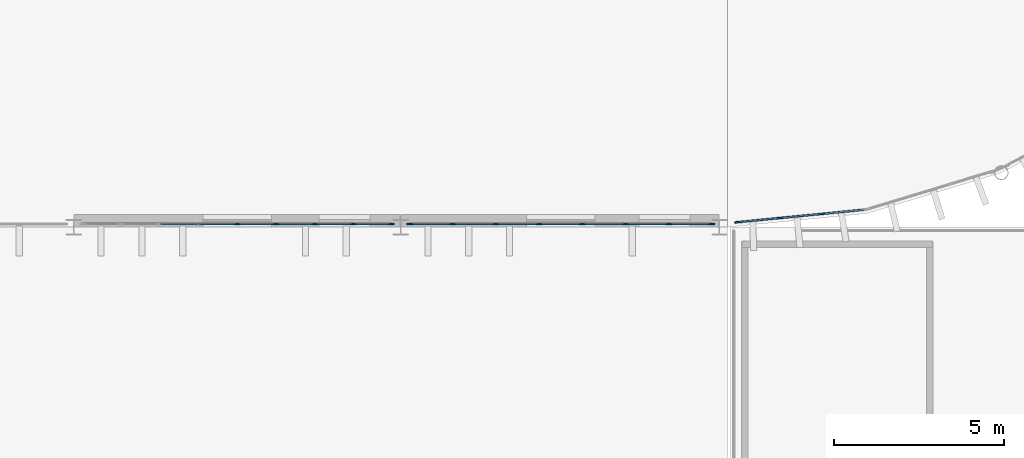
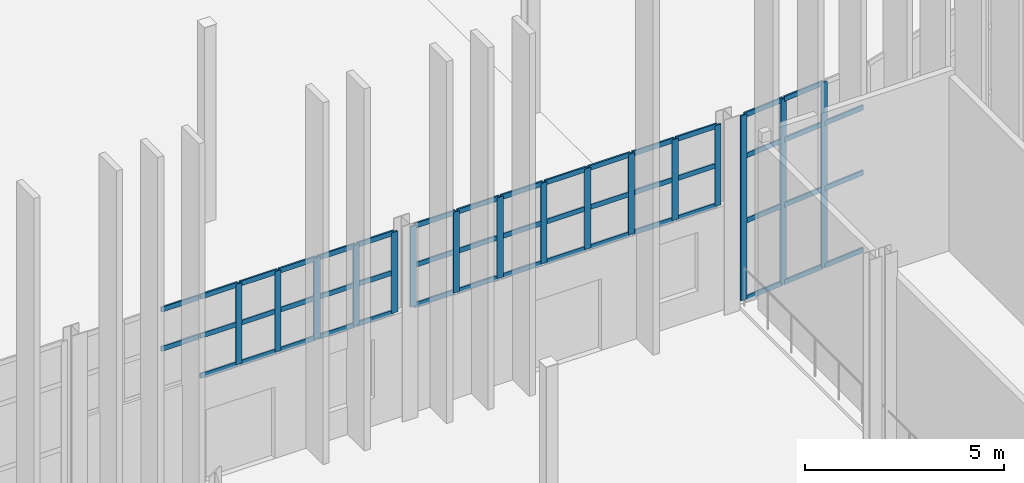
# One storey, part 52 of 139: 65 members, 3 elements without a shape of their own.
"""IFC4 building model written with IfcOpenShell, lengths in metres."""

import ifcopenshell
import ifcopenshell.guid

model = None  # the IFC model being written
_history = None  # IfcOwnerHistory: only IFC2X3 demands one
_inside = {}  # id of a spatial element -> (the spatial element, [elements in it])
_under = {}  # id of a project, library or spatial element -> (it, [spatial elements below it])
_declared = {}  # id of a project -> (the project, [libraries it declares])
_typed = {}  # id of a type object -> (the type object, [elements of that type])
_made_of = {}  # id of a material, layer set ... -> (it, [elements and type objects made of it])


def new_model(schema):
    """Start an empty IFC model of exactly this schema.

    Asked for "IFC4X3", IfcOpenShell would pick the latest addendum, in which some entities
    have other attributes; the version numbers below select the first issue.
    IFC2X3 requires an IfcOwnerHistory on every rooted entity: one is made here for all.
    """
    global model, _history
    if schema == "IFC4X3":
        model = ifcopenshell.file(schema_version=(4, 3, 0, 0))
    else:
        model = ifcopenshell.file(schema=schema)
    _inside.clear()
    _under.clear()
    _declared.clear()
    _typed.clear()
    _made_of.clear()
    _history = None
    if model.schema == "IFC2X3":
        org = make("IfcOrganization", Name="unknown")
        user = make(
            "IfcPersonAndOrganization",
            ThePerson=make("IfcPerson", FamilyName="unknown"),
            TheOrganization=org,
        )
        app = make(
            "IfcApplication",
            ApplicationDeveloper=org,
            Version="unknown",
            ApplicationFullName="unknown",
            ApplicationIdentifier="unknown",
        )
        _history = make(
            "IfcOwnerHistory",
            OwningUser=user,
            OwningApplication=app,
            ChangeAction="ADDED",
            CreationDate=0,
        )
    return model


def make(cls, **values):
    """One entity of the class cls with the attributes given. An attribute that is None is left unset."""
    return model.create_entity(
        cls, **{name: value for name, value in values.items() if value is not None}
    )


def rooted(cls, **values):
    """An entity with a GlobalId (a new one), such as an element, a storey or a relation."""
    return make(cls, GlobalId=ifcopenshell.guid.new(), OwnerHistory=_history, **values)


def si_unit(unit_type, name, prefix=None):
    """IfcSIUnit, for example si_unit("LENGTHUNIT", "METRE", prefix="MILLI")."""
    return make("IfcSIUnit", UnitType=unit_type, Prefix=prefix, Name=name)


def assignment(units):
    """IfcUnitAssignment: the units of a project."""
    return None if units is None else make("IfcUnitAssignment", Units=units)


def point(xyz):
    """IfcCartesianPoint."""
    return None if xyz is None else make("IfcCartesianPoint", Coordinates=xyz)


def direction(xyz):
    """IfcDirection."""
    return None if xyz is None else make("IfcDirection", DirectionRatios=xyz)


def frame(location, z_axis=None, x_axis=None):
    """IfcAxis2Placement3D, a coordinate frame: its origin and axes. An axis left out is left unset."""
    return make(
        "IfcAxis2Placement3D",
        Location=point(location),
        Axis=direction(z_axis),
        RefDirection=direction(x_axis),
    )


def frame_2d(location, x_axis=None):
    """IfcAxis2Placement2D, a coordinate frame in the plane: its origin and x axis."""
    return make(
        "IfcAxis2Placement2D", Location=point(location), RefDirection=direction(x_axis)
    )


def origin():
    """The frame at (0, 0, 0) with its axes left unset."""
    return frame((0.0, 0.0, 0.0))


def origin_2d():
    """The frame at (0, 0) in the plane with its x axis left unset."""
    return frame_2d((0.0, 0.0))


def place(relative_to, where):
    """IfcLocalPlacement: puts the frame where relative to a parent placement (None: the world)."""
    return make(
        "IfcLocalPlacement", PlacementRelTo=relative_to, RelativePlacement=where
    )


def context(
    kind, dimensions, precision=None, world=None, true_north=None, identifier=None
):
    """IfcGeometricRepresentationContext, for example the 3D "Model" context."""
    return make(
        "IfcGeometricRepresentationContext",
        ContextIdentifier=identifier,
        ContextType=kind,
        CoordinateSpaceDimension=dimensions,
        Precision=precision,
        WorldCoordinateSystem=world,
        TrueNorth=true_north,
    )


def subcontext(parent, identifier, kind, view, scale=None):
    """IfcGeometricRepresentationSubContext, for example "Body" below "Model"."""
    return make(
        "IfcGeometricRepresentationSubContext",
        ContextIdentifier=identifier,
        ContextType=kind,
        ParentContext=parent,
        TargetScale=scale,
        TargetView=view,
    )


def project(units=None, contexts=None):
    """IfcProject with its units and contexts."""
    return rooted(
        "IfcProject",
        Name="project",
        RepresentationContexts=contexts,
        UnitsInContext=assignment(units),
    )


def spatial(cls, under=None, at=None, **own):
    """A site, building, storey or space (cls), placed at a placement, below another one or the project."""
    s = rooted(cls, ObjectPlacement=at, **own)
    if under is not None:
        _under.setdefault(under.id(), (under, []))[1].append(s)
    return s


def profile(cls, at=None, kind="AREA", **sizes):
    """A parametric profile (cls). Its sizes go by their IFC names, for example OverallWidth=200.0."""
    return make(cls, ProfileType=kind, Position=at, **sizes)


def rectangle(**sizes):
    """IfcRectangleProfileDef."""
    return profile("IfcRectangleProfileDef", **sizes)


def extrude(swept, where, along, depth):
    """IfcExtrudedAreaSolid: the profile swept, set in the frame where, extruded along a direction by depth."""
    return make(
        "IfcExtrudedAreaSolid",
        SweptArea=swept,
        Position=where,
        ExtrudedDirection=direction(along),
        Depth=depth,
    )


def shape(context_of_items, identifier, shape_type, items):
    """IfcShapeRepresentation: the items that make up one representation, for example the "Body"."""
    return make(
        "IfcShapeRepresentation",
        ContextOfItems=context_of_items,
        RepresentationIdentifier=identifier,
        RepresentationType=shape_type,
        Items=items,
    )


def material(Name=None, Category=None):
    """IfcMaterial."""
    return make("IfcMaterial", Name=Name, Category=Category)


def layer(
    of_material, thickness, ventilated=None, Name=None, Category=None, Priority=None
):
    """IfcMaterialLayer: one layer of a wall or slab, of a material (None: an air gap)."""
    return make(
        "IfcMaterialLayer",
        Material=of_material,
        LayerThickness=thickness,
        IsVentilated=ventilated,
        Name=Name,
        Category=Category,
        Priority=Priority,
    )


def layer_set(layers, Name=None):
    """IfcMaterialLayerSet."""
    return make("IfcMaterialLayerSet", MaterialLayers=layers, LayerSetName=Name)


def material_profile(
    of_material, cross_section, Name=None, Category=None, Priority=None
):
    """IfcMaterialProfile: a cross section and its material."""
    return make(
        "IfcMaterialProfile",
        Name=Name,
        Material=of_material,
        Profile=cross_section,
        Priority=Priority,
        Category=Category,
    )


def profile_set(profiles, Name=None, composite=None):
    """IfcMaterialProfileSet."""
    return make(
        "IfcMaterialProfileSet",
        Name=Name,
        MaterialProfiles=profiles,
        CompositeProfile=composite,
    )


def made_of(thing, what):
    """Note that an element or type object is made of a material, layer set ...; save() writes the relation."""
    if what is not None:
        _made_of.setdefault(what.id(), (what, []))[1].append(thing)
    return thing


def type_object(cls, material=None, **own):
    """A type object (cls), such as IfcWallType, which elements share."""
    return made_of(rooted(cls, **own), material)


def element(
    cls,
    number,
    at=None,
    inside=None,
    cuts=None,
    type_object=None,
    material=None,
    context=None,
    identifier="Body",
    shape_type=None,
    held_by="IfcProductDefinitionShape",
    body=None,
    shapes=None,
    **own,
):
    """One element of the class cls, such as IfcWall. Its Tag is "e" and its number.

    at: its placement. inside: the storey or other place that contains it. cuts: it is an
    opening in that element (IfcRelVoidsElement). A single representation is given by context,
    identifier, shape_type and body (its items); several are given by shapes. held_by: the class
    of the entity that holds the representations. save() writes the other relations.
    """
    e = rooted(cls, Tag="e%d" % number, ObjectPlacement=at, **own)
    if body is not None:
        shapes = [shape(context, identifier, shape_type, body)]
    if shapes is not None:
        e.Representation = make(held_by, Representations=shapes)
    if inside is not None:
        _inside.setdefault(inside.id(), (inside, []))[1].append(e)
    if cuts is not None:
        rooted(
            "IfcRelVoidsElement", RelatingBuildingElement=cuts, RelatedOpeningElement=e
        )
    if type_object is not None:
        _typed.setdefault(type_object.id(), (type_object, []))[1].append(e)
    return made_of(e, material)


def aggregate(whole, parts):
    """IfcRelAggregates: a whole, such as a stair, and the parts it consists of."""
    return rooted("IfcRelAggregates", RelatingObject=whole, RelatedObjects=parts)


def save(model, path):
    """Write the relations noted so far, then the file.

    IfcRelAggregates (storeys below a building ...), IfcRelContainedInSpatialStructure (elements
    in a storey), IfcRelDefinesByType, IfcRelAssociatesMaterial and IfcRelDeclares: one each for
    every whole, place, type object, material and project.
    """
    for whole, parts in _under.values():
        aggregate(whole, parts)
    for where, things in _inside.values():
        rooted(
            "IfcRelContainedInSpatialStructure",
            RelatedElements=things,
            RelatingStructure=where,
        )
    for kind, things in _typed.values():
        rooted("IfcRelDefinesByType", RelatedObjects=things, RelatingType=kind)
    for what, things in _made_of.values():
        rooted("IfcRelAssociatesMaterial", RelatedObjects=things, RelatingMaterial=what)
    for by, libraries in _declared.values():
        rooted("IfcRelDeclares", RelatingContext=by, RelatedDefinitions=libraries)
    model.write(path)


model = new_model("IFC4")

# Units and contexts
model_context = context("Model", 3, precision=1e-05, world=origin(), true_north=direction((0.0, 1.0)))
body_context = subcontext(model_context, "Body", "Model", "MODEL_VIEW")
ifc_project = project(units=[si_unit("LENGTHUNIT", "METRE"), si_unit("AREAUNIT", "SQUARE_METRE"), si_unit("VOLUMEUNIT", "CUBIC_METRE"), si_unit("PLANEANGLEUNIT", "RADIAN"), si_unit("MASSUNIT", "GRAM", prefix="KILO")], contexts=[model_context])

# Site, building, storey
site_placement = place(None, origin())
site = spatial("IfcSite", under=ifc_project, at=site_placement, CompositionType="ELEMENT")
building_placement = place(site_placement, origin())
building = spatial("IfcBuilding", under=site, at=building_placement, Name="Yeouljin Market Hall", CompositionType="ELEMENT")
storey_placement = place(building_placement, origin())
storey = spatial("IfcBuildingStorey", under=building, at=storey_placement, Name="L00", CompositionType="ELEMENT", Elevation=0.0)

# Curtain wall, members
ifc_material_1 = material(Name="Thermally Broken Aluminium", Category="aluminium")
ifc_layer_1 = layer(ifc_material_1, 0.179931640625)
ifc_layer_set_1 = layer_set([ifc_layer_1], Name="Thermally Broken Aluminium")
curtain_wall_type_1 = type_object("IfcCurtainWallType", Name="CW_HallNave_System", PredefinedType="USERDEFINED", material=ifc_layer_set_1)
curtain_wall_1_placement = place(storey_placement, origin())
curtain_wall_1 = element("IfcCurtainWall", 1, at=curtain_wall_1_placement, inside=storey, type_object=curtain_wall_type_1, Name="Curtain wall CW-V1S-L00-10", ObjectType="CURTAIN WALL", PredefinedType="USERDEFINED")
ifc_material_2 = material(Name="Thermally Broken Aluminium", Category="aluminium")
ifc_material_profile_1 = material_profile(ifc_material_2, rectangle(XDim=0.048095703125, YDim=0.179931640625, at=origin_2d()), Name="CW-MULL-48x180")
ifc_profile_set_1 = profile_set([ifc_material_profile_1], Name="Thermally Broken Aluminium")
member_type_1 = type_object("IfcMemberType", Name="CWMullion_48x180", PredefinedType="MULLION", material=ifc_profile_set_1)
member_1_placement = place(storey_placement, frame((131.1259765625, 36.10009765625, 3.199951171875), z_axis=(0.0, 0.0, 1.0), x_axis=(0.0, -1.0, 0.0)))
member_1 = element("IfcMember", 2, at=member_1_placement, type_object=member_type_1, Name="CW-01 mullion 1", PredefinedType="MULLION", context=body_context, shape_type="SweptSolid", body=[
    extrude(rectangle(XDim=0.048095703125, YDim=0.179931640625, at=origin_2d()), origin(), (0.0, 0.0, 1.0), 2.47998046875),
])
member_2_placement = place(storey_placement, frame((130.012451171875, 36.10009765625, 3.199951171875), z_axis=(0.0, 0.0, 1.0), x_axis=(0.0, -1.0, 0.0)))
member_2 = element("IfcMember", 3, at=member_2_placement, type_object=member_type_1, Name="CW-01 mullion 2", PredefinedType="MULLION", context=body_context, shape_type="SweptSolid", body=[
    extrude(rectangle(XDim=0.048095703125, YDim=0.179931640625, at=origin_2d()), origin(), (0.0, 0.0, 1.0), 2.47998046875),
])
member_3_placement = place(storey_placement, frame((128.875, 36.10009765625, 3.199951171875), z_axis=(0.0, 0.0, 1.0), x_axis=(0.0, -1.0, 0.0)))
member_3 = element("IfcMember", 4, at=member_3_placement, type_object=member_type_1, Name="CW-01 mullion 3", PredefinedType="MULLION", context=body_context, shape_type="SweptSolid", body=[
    extrude(rectangle(XDim=0.048095703125, YDim=0.179931640625, at=origin_2d()), origin(), (0.0, 0.0, 1.0), 2.47998046875),
])
member_4_placement = place(storey_placement, frame((127.737548828125, 36.10009765625, 3.199951171875), z_axis=(0.0, 0.0, 1.0), x_axis=(0.0, -1.0, 0.0)))
member_4 = element("IfcMember", 5, at=member_4_placement, type_object=member_type_1, Name="CW-01 mullion 4", PredefinedType="MULLION", context=body_context, shape_type="SweptSolid", body=[
    extrude(rectangle(XDim=0.048095703125, YDim=0.179931640625, at=origin_2d()), origin(), (0.0, 0.0, 1.0), 2.47998046875),
])
member_5_placement = place(storey_placement, frame((126.60009765625, 36.10009765625, 3.199951171875), z_axis=(0.0, 0.0, 1.0), x_axis=(0.0, -1.0, 0.0)))
member_5 = element("IfcMember", 6, at=member_5_placement, type_object=member_type_1, Name="CW-01 mullion 5", PredefinedType="MULLION", context=body_context, shape_type="SweptSolid", body=[
    extrude(rectangle(XDim=0.048095703125, YDim=0.179931640625, at=origin_2d()), origin(), (0.0, 0.0, 1.0), 2.47998046875),
])

curtain_wall_2_placement = place(storey_placement, origin())
curtain_wall_2 = element("IfcCurtainWall", 7, at=curtain_wall_2_placement, inside=storey, type_object=curtain_wall_type_1, Name="Curtain wall CW-V1S-L00-11", ObjectType="CURTAIN WALL", PredefinedType="USERDEFINED")
member_6_placement = place(storey_placement, frame((140.52587890625, 36.10009765625, 3.199951171875), z_axis=(0.0, 0.0, 1.0), x_axis=(0.0, -1.0, 0.0)))
member_6 = element("IfcMember", 8, at=member_6_placement, type_object=member_type_1, Name="CW-01 mullion 1", PredefinedType="MULLION", context=body_context, shape_type="SweptSolid", body=[
    extrude(rectangle(XDim=0.048095703125, YDim=0.179931640625, at=origin_2d()), origin(), (0.0, 0.0, 1.0), 2.47998046875),
])
member_7_placement = place(storey_placement, frame((139.278564453125, 36.10009765625, 3.199951171875), z_axis=(0.0, 0.0, 1.0), x_axis=(0.0, -1.0, 0.0)))
member_7 = element("IfcMember", 9, at=member_7_placement, type_object=member_type_1, Name="CW-01 mullion 2", PredefinedType="MULLION", context=body_context, shape_type="SweptSolid", body=[
    extrude(rectangle(XDim=0.048095703125, YDim=0.179931640625, at=origin_2d()), origin(), (0.0, 0.0, 1.0), 2.47998046875),
])
member_8_placement = place(storey_placement, frame((138.007080078125, 36.10009765625, 3.199951171875), z_axis=(0.0, 0.0, 1.0), x_axis=(0.0, -1.0, 0.0)))
member_8 = element("IfcMember", 10, at=member_8_placement, type_object=member_type_1, Name="CW-01 mullion 3", PredefinedType="MULLION", context=body_context, shape_type="SweptSolid", body=[
    extrude(rectangle(XDim=0.048095703125, YDim=0.179931640625, at=origin_2d()), origin(), (0.0, 0.0, 1.0), 2.47998046875),
])
member_9_placement = place(storey_placement, frame((136.735595703125, 36.10009765625, 3.199951171875), z_axis=(0.0, 0.0, 1.0), x_axis=(0.0, -1.0, 0.0)))
member_9 = element("IfcMember", 11, at=member_9_placement, type_object=member_type_1, Name="CW-01 mullion 4", PredefinedType="MULLION", context=body_context, shape_type="SweptSolid", body=[
    extrude(rectangle(XDim=0.048095703125, YDim=0.179931640625, at=origin_2d()), origin(), (0.0, 0.0, 1.0), 2.47998046875),
])
member_10_placement = place(storey_placement, frame((135.46435546875, 36.10009765625, 3.199951171875), z_axis=(0.0, 0.0, 1.0), x_axis=(0.0, -1.0, 0.0)))
member_10 = element("IfcMember", 12, at=member_10_placement, type_object=member_type_1, Name="CW-01 mullion 5", PredefinedType="MULLION", context=body_context, shape_type="SweptSolid", body=[
    extrude(rectangle(XDim=0.048095703125, YDim=0.179931640625, at=origin_2d()), origin(), (0.0, 0.0, 1.0), 2.47998046875),
])
member_11_placement = place(storey_placement, frame((134.19287109375, 36.10009765625, 3.199951171875), z_axis=(0.0, 0.0, 1.0), x_axis=(0.0, -1.0, 0.0)))
member_11 = element("IfcMember", 13, at=member_11_placement, type_object=member_type_1, Name="CW-01 mullion 6", PredefinedType="MULLION", context=body_context, shape_type="SweptSolid", body=[
    extrude(rectangle(XDim=0.048095703125, YDim=0.179931640625, at=origin_2d()), origin(), (0.0, 0.0, 1.0), 2.47998046875),
])
member_12_placement = place(storey_placement, frame((132.92138671875, 36.10009765625, 3.199951171875), z_axis=(0.0, 0.0, 1.0), x_axis=(0.0, -1.0, 0.0)))
member_12 = element("IfcMember", 14, at=member_12_placement, type_object=member_type_1, Name="CW-01 mullion 7", PredefinedType="MULLION", context=body_context, shape_type="SweptSolid", body=[
    extrude(rectangle(XDim=0.048095703125, YDim=0.179931640625, at=origin_2d()), origin(), (0.0, 0.0, 1.0), 2.47998046875),
])
member_13_placement = place(storey_placement, frame((131.674072265625, 36.10009765625, 3.199951171875), z_axis=(0.0, 0.0, 1.0), x_axis=(0.0, -1.0, 0.0)))
member_13 = element("IfcMember", 15, at=member_13_placement, type_object=member_type_1, Name="CW-01 mullion 8", PredefinedType="MULLION", context=body_context, shape_type="SweptSolid", body=[
    extrude(rectangle(XDim=0.048095703125, YDim=0.179931640625, at=origin_2d()), origin(), (0.0, 0.0, 1.0), 2.47998046875),
])

ifc_material_3 = material(Name="Thermally Broken Aluminium", Category="aluminium")
ifc_layer_2 = layer(ifc_material_3, 0.179931640625)
ifc_layer_set_2 = layer_set([ifc_layer_2], Name="Thermally Broken Aluminium")
curtain_wall_type_2 = type_object("IfcCurtainWallType", Name="CW_ApseCurved_System", PredefinedType="USERDEFINED", material=ifc_layer_set_2)
curtain_wall_3_placement = place(storey_placement, origin())
curtain_wall_3 = element("IfcCurtainWall", 16, at=curtain_wall_3_placement, inside=storey, type_object=curtain_wall_type_2, Name="Curtain wall CW-AP-EL00-01", ObjectType="CURTAIN WALL", PredefinedType="USERDEFINED")
member_14_placement = place(storey_placement, frame((143.781982421875, 36.39404296875, 0.0), z_axis=(0.0, 0.0, 1.0), x_axis=(0.09803414403, -0.995183051807, 0.0)))
member_14 = element("IfcMember", 17, at=member_14_placement, type_object=member_type_1, Name="CW-03 mullion 2", PredefinedType="MULLION", context=body_context, shape_type="SweptSolid", body=[
    extrude(rectangle(XDim=0.048095703125, YDim=0.179931640625, at=origin_2d()), origin(), (0.0, 0.0, 1.0), 5.679931640625),
])
member_15_placement = place(storey_placement, frame((142.5302734375, 36.270751953125, 0.0), z_axis=(0.0, 0.0, 1.0), x_axis=(0.09803414403, -0.995183051807, 0.0)))
member_15 = element("IfcMember", 18, at=member_15_placement, type_object=member_type_1, Name="CW-03 mullion 3", PredefinedType="MULLION", context=body_context, shape_type="SweptSolid", body=[
    extrude(rectangle(XDim=0.048095703125, YDim=0.179931640625, at=origin_2d()), origin(), (0.0, 0.0, 1.0), 5.679931640625),
])
member_16_placement = place(storey_placement, frame((141.302490234375, 36.149658203125, 0.0), z_axis=(0.0, 0.0, 1.0), x_axis=(0.09803414403, -0.995183051807, 0.0)))
member_16 = element("IfcMember", 19, at=member_16_placement, type_object=member_type_1, Name="CW-03 mullion 4", PredefinedType="MULLION", context=body_context, shape_type="SweptSolid", body=[
    extrude(rectangle(XDim=0.048095703125, YDim=0.179931640625, at=origin_2d()), origin(), (0.0, 0.0, 1.0), 5.679931640625),
])

# Member
ifc_material_4 = material(Name="Thermally Broken Aluminium", Category="aluminium")
ifc_material_profile_2 = material_profile(ifc_material_4, rectangle(XDim=0.048095703125, YDim=0.14990234375, at=origin_2d()), Name="CW-TRAN-48x150")
ifc_profile_set_2 = profile_set([ifc_material_profile_2], Name="Thermally Broken Aluminium")
member_type_2 = type_object("IfcMemberType", Name="CWTransom_48x150", PredefinedType="USERDEFINED", material=ifc_profile_set_2)
member_17_placement = place(storey_placement, frame((131.10205078125, 36.10009765625, 3.22412109375), z_axis=(-1.0, 0.0, 0.0), x_axis=(0.0, -1.0, 0.0)))
member_17 = element("IfcMember", 20, at=member_17_placement, type_object=member_type_2, Name="CW-01 transom 1.1", ObjectType="TRANSOM", PredefinedType="USERDEFINED", context=body_context, shape_type="SweptSolid", body=[
    extrude(rectangle(XDim=0.048095703125, YDim=0.14990234375, at=origin_2d()), origin(), (0.0, 0.0, 1.0), 1.0654296875),
])

member_18_placement = place(storey_placement, frame((131.10205078125, 36.10009765625, 4.449951171875), z_axis=(-1.0, 0.0, 0.0), x_axis=(0.0, -1.0, 0.0)))
member_18 = element("IfcMember", 21, at=member_18_placement, type_object=member_type_2, Name="CW-01 transom 1.2", ObjectType="TRANSOM", PredefinedType="USERDEFINED", context=body_context, shape_type="SweptSolid", body=[
    extrude(rectangle(XDim=0.048095703125, YDim=0.14990234375, at=origin_2d()), origin(), (0.0, 0.0, 1.0), 1.0654296875),
])

member_19_placement = place(storey_placement, frame((131.10205078125, 36.10009765625, 5.656005859375), z_axis=(-1.0, 0.0, 0.0), x_axis=(0.0, -1.0, 0.0)))
member_19 = element("IfcMember", 22, at=member_19_placement, type_object=member_type_2, Name="CW-01 transom 1.3", ObjectType="TRANSOM", PredefinedType="USERDEFINED", context=body_context, shape_type="SweptSolid", body=[
    extrude(rectangle(XDim=0.048095703125, YDim=0.14990234375, at=origin_2d()), origin(), (0.0, 0.0, 1.0), 1.0654296875),
])

member_20_placement = place(storey_placement, frame((129.988525390625, 36.10009765625, 3.22412109375), z_axis=(-1.0, 0.0, 0.0), x_axis=(0.0, -1.0, 0.0)))
member_20 = element("IfcMember", 23, at=member_20_placement, type_object=member_type_2, Name="CW-01 transom 2.1", ObjectType="TRANSOM", PredefinedType="USERDEFINED", context=body_context, shape_type="SweptSolid", body=[
    extrude(rectangle(XDim=0.048095703125, YDim=0.14990234375, at=origin_2d()), origin(), (0.0, 0.0, 1.0), 1.089599609375),
])

member_21_placement = place(storey_placement, frame((129.988525390625, 36.10009765625, 4.449951171875), z_axis=(-1.0, 0.0, 0.0), x_axis=(0.0, -1.0, 0.0)))
member_21 = element("IfcMember", 24, at=member_21_placement, type_object=member_type_2, Name="CW-01 transom 2.2", ObjectType="TRANSOM", PredefinedType="USERDEFINED", context=body_context, shape_type="SweptSolid", body=[
    extrude(rectangle(XDim=0.048095703125, YDim=0.14990234375, at=origin_2d()), origin(), (0.0, 0.0, 1.0), 1.089599609375),
])

member_22_placement = place(storey_placement, frame((129.988525390625, 36.10009765625, 5.656005859375), z_axis=(-1.0, 0.0, 0.0), x_axis=(0.0, -1.0, 0.0)))
member_22 = element("IfcMember", 25, at=member_22_placement, type_object=member_type_2, Name="CW-01 transom 2.3", ObjectType="TRANSOM", PredefinedType="USERDEFINED", context=body_context, shape_type="SweptSolid", body=[
    extrude(rectangle(XDim=0.048095703125, YDim=0.14990234375, at=origin_2d()), origin(), (0.0, 0.0, 1.0), 1.089599609375),
])

member_23_placement = place(storey_placement, frame((128.85107421875, 36.10009765625, 3.22412109375), z_axis=(-1.0, 0.0, 0.0), x_axis=(0.0, -1.0, 0.0)))
member_23 = element("IfcMember", 26, at=member_23_placement, type_object=member_type_2, Name="CW-01 transom 3.1", ObjectType="TRANSOM", PredefinedType="USERDEFINED", context=body_context, shape_type="SweptSolid", body=[
    extrude(rectangle(XDim=0.048095703125, YDim=0.14990234375, at=origin_2d()), origin(), (0.0, 0.0, 1.0), 1.089599609375),
])

member_24_placement = place(storey_placement, frame((128.85107421875, 36.10009765625, 4.449951171875), z_axis=(-1.0, 0.0, 0.0), x_axis=(0.0, -1.0, 0.0)))
member_24 = element("IfcMember", 27, at=member_24_placement, type_object=member_type_2, Name="CW-01 transom 3.2", ObjectType="TRANSOM", PredefinedType="USERDEFINED", context=body_context, shape_type="SweptSolid", body=[
    extrude(rectangle(XDim=0.048095703125, YDim=0.14990234375, at=origin_2d()), origin(), (0.0, 0.0, 1.0), 1.089599609375),
])

member_25_placement = place(storey_placement, frame((128.85107421875, 36.10009765625, 5.656005859375), z_axis=(-1.0, 0.0, 0.0), x_axis=(0.0, -1.0, 0.0)))
member_25 = element("IfcMember", 28, at=member_25_placement, type_object=member_type_2, Name="CW-01 transom 3.3", ObjectType="TRANSOM", PredefinedType="USERDEFINED", context=body_context, shape_type="SweptSolid", body=[
    extrude(rectangle(XDim=0.048095703125, YDim=0.14990234375, at=origin_2d()), origin(), (0.0, 0.0, 1.0), 1.089599609375),
])

member_26_placement = place(storey_placement, frame((127.71337890625, 36.10009765625, 3.22412109375), z_axis=(-1.0, 0.0, 0.0), x_axis=(0.0, -1.0, 0.0)))
member_26 = element("IfcMember", 29, at=member_26_placement, type_object=member_type_2, Name="CW-01 transom 4.1", ObjectType="TRANSOM", PredefinedType="USERDEFINED", context=body_context, shape_type="SweptSolid", body=[
    extrude(rectangle(XDim=0.048095703125, YDim=0.14990234375, at=origin_2d()), origin(), (0.0, 0.0, 1.0), 1.08935546875),
])

member_27_placement = place(storey_placement, frame((127.71337890625, 36.10009765625, 4.449951171875), z_axis=(-1.0, 0.0, 0.0), x_axis=(0.0, -1.0, 0.0)))
member_27 = element("IfcMember", 30, at=member_27_placement, type_object=member_type_2, Name="CW-01 transom 4.2", ObjectType="TRANSOM", PredefinedType="USERDEFINED", context=body_context, shape_type="SweptSolid", body=[
    extrude(rectangle(XDim=0.048095703125, YDim=0.14990234375, at=origin_2d()), origin(), (0.0, 0.0, 1.0), 1.08935546875),
])

member_28_placement = place(storey_placement, frame((127.71337890625, 36.10009765625, 5.656005859375), z_axis=(-1.0, 0.0, 0.0), x_axis=(0.0, -1.0, 0.0)))
member_28 = element("IfcMember", 31, at=member_28_placement, type_object=member_type_2, Name="CW-01 transom 4.3", ObjectType="TRANSOM", PredefinedType="USERDEFINED", context=body_context, shape_type="SweptSolid", body=[
    extrude(rectangle(XDim=0.048095703125, YDim=0.14990234375, at=origin_2d()), origin(), (0.0, 0.0, 1.0), 1.08935546875),
])

member_29_placement = place(storey_placement, frame((126.575927734375, 36.10009765625, 3.22412109375), z_axis=(-1.0, 0.0, 0.0), x_axis=(0.0, -1.0, 0.0)))
member_29 = element("IfcMember", 32, at=member_29_placement, type_object=member_type_2, Name="CW-01 transom 5.1", ObjectType="TRANSOM", PredefinedType="USERDEFINED", context=body_context, shape_type="SweptSolid", body=[
    extrude(rectangle(XDim=0.048095703125, YDim=0.14990234375, at=origin_2d()), origin(), (0.0, 0.0, 1.0), 1.08935546875),
])

member_30_placement = place(storey_placement, frame((126.575927734375, 36.10009765625, 4.449951171875), z_axis=(-1.0, 0.0, 0.0), x_axis=(0.0, -1.0, 0.0)))
member_30 = element("IfcMember", 33, at=member_30_placement, type_object=member_type_2, Name="CW-01 transom 5.2", ObjectType="TRANSOM", PredefinedType="USERDEFINED", context=body_context, shape_type="SweptSolid", body=[
    extrude(rectangle(XDim=0.048095703125, YDim=0.14990234375, at=origin_2d()), origin(), (0.0, 0.0, 1.0), 1.08935546875),
])

member_31_placement = place(storey_placement, frame((126.575927734375, 36.10009765625, 5.656005859375), z_axis=(-1.0, 0.0, 0.0), x_axis=(0.0, -1.0, 0.0)))
member_31 = element("IfcMember", 34, at=member_31_placement, type_object=member_type_2, Name="CW-01 transom 5.3", ObjectType="TRANSOM", PredefinedType="USERDEFINED", context=body_context, shape_type="SweptSolid", body=[
    extrude(rectangle(XDim=0.048095703125, YDim=0.14990234375, at=origin_2d()), origin(), (0.0, 0.0, 1.0), 1.08935546875),
])

member_32_placement = place(storey_placement, frame((125.4384765625, 36.10009765625, 4.449951171875), z_axis=(-1.0, 0.0, 0.0), x_axis=(0.0, -1.0, 0.0)))
member_32 = element("IfcMember", 35, at=member_32_placement, type_object=member_type_2, Name="CW-01 transom 6.2", ObjectType="TRANSOM", PredefinedType="USERDEFINED", context=body_context, shape_type="SweptSolid", body=[
    extrude(rectangle(XDim=0.048095703125, YDim=0.14990234375, at=origin_2d()), origin(), (0.0, 0.0, 1.0), 1.08935546875),
])

member_33_placement = place(storey_placement, frame((125.4384765625, 36.10009765625, 5.656005859375), z_axis=(-1.0, 0.0, 0.0), x_axis=(0.0, -1.0, 0.0)))
member_33 = element("IfcMember", 36, at=member_33_placement, type_object=member_type_2, Name="CW-01 transom 6.3", ObjectType="TRANSOM", PredefinedType="USERDEFINED", context=body_context, shape_type="SweptSolid", body=[
    extrude(rectangle(XDim=0.048095703125, YDim=0.14990234375, at=origin_2d()), origin(), (0.0, 0.0, 1.0), 1.08935546875),
])

aggregate(curtain_wall_1, [member_1, member_2, member_3, member_4, member_5, member_17, member_18, member_19, member_20, member_21, member_22, member_23, member_24, member_25, member_26, member_27, member_28, member_29, member_30, member_31, member_32, member_33])

member_34_placement = place(storey_placement, frame((140.501953125, 36.10009765625, 3.22412109375), z_axis=(-1.0, 0.0, 0.0), x_axis=(0.0, -1.0, 0.0)))
member_34 = element("IfcMember", 37, at=member_34_placement, type_object=member_type_2, Name="CW-01 transom 1.1", ObjectType="TRANSOM", PredefinedType="USERDEFINED", context=body_context, shape_type="SweptSolid", body=[
    extrude(rectangle(XDim=0.048095703125, YDim=0.14990234375, at=origin_2d()), origin(), (0.0, 0.0, 1.0), 1.199462890625),
])

member_35_placement = place(storey_placement, frame((140.501953125, 36.10009765625, 4.449951171875), z_axis=(-1.0, 0.0, 0.0), x_axis=(0.0, -1.0, 0.0)))
member_35 = element("IfcMember", 38, at=member_35_placement, type_object=member_type_2, Name="CW-01 transom 1.2", ObjectType="TRANSOM", PredefinedType="USERDEFINED", context=body_context, shape_type="SweptSolid", body=[
    extrude(rectangle(XDim=0.048095703125, YDim=0.14990234375, at=origin_2d()), origin(), (0.0, 0.0, 1.0), 1.199462890625),
])

member_36_placement = place(storey_placement, frame((140.501953125, 36.10009765625, 5.656005859375), z_axis=(-1.0, 0.0, 0.0), x_axis=(0.0, -1.0, 0.0)))
member_36 = element("IfcMember", 39, at=member_36_placement, type_object=member_type_2, Name="CW-01 transom 1.3", ObjectType="TRANSOM", PredefinedType="USERDEFINED", context=body_context, shape_type="SweptSolid", body=[
    extrude(rectangle(XDim=0.048095703125, YDim=0.14990234375, at=origin_2d()), origin(), (0.0, 0.0, 1.0), 1.199462890625),
])

member_37_placement = place(storey_placement, frame((139.254638671875, 36.10009765625, 3.22412109375), z_axis=(-1.0, 0.0, 0.0), x_axis=(0.0, -1.0, 0.0)))
member_37 = element("IfcMember", 40, at=member_37_placement, type_object=member_type_2, Name="CW-01 transom 2.1", ObjectType="TRANSOM", PredefinedType="USERDEFINED", context=body_context, shape_type="SweptSolid", body=[
    extrude(rectangle(XDim=0.048095703125, YDim=0.14990234375, at=origin_2d()), origin(), (0.0, 0.0, 1.0), 1.223388671875),
])

member_38_placement = place(storey_placement, frame((139.254638671875, 36.10009765625, 4.449951171875), z_axis=(-1.0, 0.0, 0.0), x_axis=(0.0, -1.0, 0.0)))
member_38 = element("IfcMember", 41, at=member_38_placement, type_object=member_type_2, Name="CW-01 transom 2.2", ObjectType="TRANSOM", PredefinedType="USERDEFINED", context=body_context, shape_type="SweptSolid", body=[
    extrude(rectangle(XDim=0.048095703125, YDim=0.14990234375, at=origin_2d()), origin(), (0.0, 0.0, 1.0), 1.223388671875),
])

member_39_placement = place(storey_placement, frame((139.254638671875, 36.10009765625, 5.656005859375), z_axis=(-1.0, 0.0, 0.0), x_axis=(0.0, -1.0, 0.0)))
member_39 = element("IfcMember", 42, at=member_39_placement, type_object=member_type_2, Name="CW-01 transom 2.3", ObjectType="TRANSOM", PredefinedType="USERDEFINED", context=body_context, shape_type="SweptSolid", body=[
    extrude(rectangle(XDim=0.048095703125, YDim=0.14990234375, at=origin_2d()), origin(), (0.0, 0.0, 1.0), 1.223388671875),
])

member_40_placement = place(storey_placement, frame((137.983154296875, 36.10009765625, 3.22412109375), z_axis=(-1.0, 0.0, 0.0), x_axis=(0.0, -1.0, 0.0)))
member_40 = element("IfcMember", 43, at=member_40_placement, type_object=member_type_2, Name="CW-01 transom 3.1", ObjectType="TRANSOM", PredefinedType="USERDEFINED", context=body_context, shape_type="SweptSolid", body=[
    extrude(rectangle(XDim=0.048095703125, YDim=0.14990234375, at=origin_2d()), origin(), (0.0, 0.0, 1.0), 1.223388671875),
])

member_41_placement = place(storey_placement, frame((137.983154296875, 36.10009765625, 4.449951171875), z_axis=(-1.0, 0.0, 0.0), x_axis=(0.0, -1.0, 0.0)))
member_41 = element("IfcMember", 44, at=member_41_placement, type_object=member_type_2, Name="CW-01 transom 3.2", ObjectType="TRANSOM", PredefinedType="USERDEFINED", context=body_context, shape_type="SweptSolid", body=[
    extrude(rectangle(XDim=0.048095703125, YDim=0.14990234375, at=origin_2d()), origin(), (0.0, 0.0, 1.0), 1.223388671875),
])

member_42_placement = place(storey_placement, frame((137.983154296875, 36.10009765625, 5.656005859375), z_axis=(-1.0, 0.0, 0.0), x_axis=(0.0, -1.0, 0.0)))
member_42 = element("IfcMember", 45, at=member_42_placement, type_object=member_type_2, Name="CW-01 transom 3.3", ObjectType="TRANSOM", PredefinedType="USERDEFINED", context=body_context, shape_type="SweptSolid", body=[
    extrude(rectangle(XDim=0.048095703125, YDim=0.14990234375, at=origin_2d()), origin(), (0.0, 0.0, 1.0), 1.223388671875),
])

member_43_placement = place(storey_placement, frame((136.711669921875, 36.10009765625, 3.22412109375), z_axis=(-1.0, 0.0, 0.0), x_axis=(0.0, -1.0, 0.0)))
member_43 = element("IfcMember", 46, at=member_43_placement, type_object=member_type_2, Name="CW-01 transom 4.1", ObjectType="TRANSOM", PredefinedType="USERDEFINED", context=body_context, shape_type="SweptSolid", body=[
    extrude(rectangle(XDim=0.048095703125, YDim=0.14990234375, at=origin_2d()), origin(), (0.0, 0.0, 1.0), 1.223388671875),
])

member_44_placement = place(storey_placement, frame((136.711669921875, 36.10009765625, 4.449951171875), z_axis=(-1.0, 0.0, 0.0), x_axis=(0.0, -1.0, 0.0)))
member_44 = element("IfcMember", 47, at=member_44_placement, type_object=member_type_2, Name="CW-01 transom 4.2", ObjectType="TRANSOM", PredefinedType="USERDEFINED", context=body_context, shape_type="SweptSolid", body=[
    extrude(rectangle(XDim=0.048095703125, YDim=0.14990234375, at=origin_2d()), origin(), (0.0, 0.0, 1.0), 1.223388671875),
])

member_45_placement = place(storey_placement, frame((136.711669921875, 36.10009765625, 5.656005859375), z_axis=(-1.0, 0.0, 0.0), x_axis=(0.0, -1.0, 0.0)))
member_45 = element("IfcMember", 48, at=member_45_placement, type_object=member_type_2, Name="CW-01 transom 4.3", ObjectType="TRANSOM", PredefinedType="USERDEFINED", context=body_context, shape_type="SweptSolid", body=[
    extrude(rectangle(XDim=0.048095703125, YDim=0.14990234375, at=origin_2d()), origin(), (0.0, 0.0, 1.0), 1.223388671875),
])

member_46_placement = place(storey_placement, frame((135.440185546875, 36.10009765625, 3.22412109375), z_axis=(-1.0, 0.0, 0.0), x_axis=(0.0, -1.0, 0.0)))
member_46 = element("IfcMember", 49, at=member_46_placement, type_object=member_type_2, Name="CW-01 transom 5.1", ObjectType="TRANSOM", PredefinedType="USERDEFINED", context=body_context, shape_type="SweptSolid", body=[
    extrude(rectangle(XDim=0.048095703125, YDim=0.14990234375, at=origin_2d()), origin(), (0.0, 0.0, 1.0), 1.223388671875),
])

member_47_placement = place(storey_placement, frame((135.440185546875, 36.10009765625, 4.449951171875), z_axis=(-1.0, 0.0, 0.0), x_axis=(0.0, -1.0, 0.0)))
member_47 = element("IfcMember", 50, at=member_47_placement, type_object=member_type_2, Name="CW-01 transom 5.2", ObjectType="TRANSOM", PredefinedType="USERDEFINED", context=body_context, shape_type="SweptSolid", body=[
    extrude(rectangle(XDim=0.048095703125, YDim=0.14990234375, at=origin_2d()), origin(), (0.0, 0.0, 1.0), 1.223388671875),
])

member_48_placement = place(storey_placement, frame((135.440185546875, 36.10009765625, 5.656005859375), z_axis=(-1.0, 0.0, 0.0), x_axis=(0.0, -1.0, 0.0)))
member_48 = element("IfcMember", 51, at=member_48_placement, type_object=member_type_2, Name="CW-01 transom 5.3", ObjectType="TRANSOM", PredefinedType="USERDEFINED", context=body_context, shape_type="SweptSolid", body=[
    extrude(rectangle(XDim=0.048095703125, YDim=0.14990234375, at=origin_2d()), origin(), (0.0, 0.0, 1.0), 1.223388671875),
])

member_49_placement = place(storey_placement, frame((134.1689453125, 36.10009765625, 3.22412109375), z_axis=(-1.0, 0.0, 0.0), x_axis=(0.0, -1.0, 0.0)))
member_49 = element("IfcMember", 52, at=member_49_placement, type_object=member_type_2, Name="CW-01 transom 6.1", ObjectType="TRANSOM", PredefinedType="USERDEFINED", context=body_context, shape_type="SweptSolid", body=[
    extrude(rectangle(XDim=0.048095703125, YDim=0.14990234375, at=origin_2d()), origin(), (0.0, 0.0, 1.0), 1.2236328125),
])

member_50_placement = place(storey_placement, frame((134.1689453125, 36.10009765625, 4.449951171875), z_axis=(-1.0, 0.0, 0.0), x_axis=(0.0, -1.0, 0.0)))
member_50 = element("IfcMember", 53, at=member_50_placement, type_object=member_type_2, Name="CW-01 transom 6.2", ObjectType="TRANSOM", PredefinedType="USERDEFINED", context=body_context, shape_type="SweptSolid", body=[
    extrude(rectangle(XDim=0.048095703125, YDim=0.14990234375, at=origin_2d()), origin(), (0.0, 0.0, 1.0), 1.2236328125),
])

member_51_placement = place(storey_placement, frame((134.1689453125, 36.10009765625, 5.656005859375), z_axis=(-1.0, 0.0, 0.0), x_axis=(0.0, -1.0, 0.0)))
member_51 = element("IfcMember", 54, at=member_51_placement, type_object=member_type_2, Name="CW-01 transom 6.3", ObjectType="TRANSOM", PredefinedType="USERDEFINED", context=body_context, shape_type="SweptSolid", body=[
    extrude(rectangle(XDim=0.048095703125, YDim=0.14990234375, at=origin_2d()), origin(), (0.0, 0.0, 1.0), 1.2236328125),
])

member_52_placement = place(storey_placement, frame((132.8974609375, 36.10009765625, 3.22412109375), z_axis=(-1.0, 0.0, 0.0), x_axis=(0.0, -1.0, 0.0)))
member_52 = element("IfcMember", 55, at=member_52_placement, type_object=member_type_2, Name="CW-01 transom 7.1", ObjectType="TRANSOM", PredefinedType="USERDEFINED", context=body_context, shape_type="SweptSolid", body=[
    extrude(rectangle(XDim=0.048095703125, YDim=0.14990234375, at=origin_2d()), origin(), (0.0, 0.0, 1.0), 1.199462890625),
])

member_53_placement = place(storey_placement, frame((132.8974609375, 36.10009765625, 4.449951171875), z_axis=(-1.0, 0.0, 0.0), x_axis=(0.0, -1.0, 0.0)))
member_53 = element("IfcMember", 56, at=member_53_placement, type_object=member_type_2, Name="CW-01 transom 7.2", ObjectType="TRANSOM", PredefinedType="USERDEFINED", context=body_context, shape_type="SweptSolid", body=[
    extrude(rectangle(XDim=0.048095703125, YDim=0.14990234375, at=origin_2d()), origin(), (0.0, 0.0, 1.0), 1.199462890625),
])

member_54_placement = place(storey_placement, frame((132.8974609375, 36.10009765625, 5.656005859375), z_axis=(-1.0, 0.0, 0.0), x_axis=(0.0, -1.0, 0.0)))
member_54 = element("IfcMember", 57, at=member_54_placement, type_object=member_type_2, Name="CW-01 transom 7.3", ObjectType="TRANSOM", PredefinedType="USERDEFINED", context=body_context, shape_type="SweptSolid", body=[
    extrude(rectangle(XDim=0.048095703125, YDim=0.14990234375, at=origin_2d()), origin(), (0.0, 0.0, 1.0), 1.199462890625),
])

aggregate(curtain_wall_2, [member_6, member_7, member_8, member_9, member_10, member_11, member_12, member_13, member_34, member_35, member_36, member_37, member_38, member_39, member_40, member_41, member_42, member_43, member_44, member_45, member_46, member_47, member_48, member_49, member_50, member_51, member_52, member_53, member_54])

member_55_placement = place(storey_placement, frame((144.98583984375, 36.5126953125, 0.02392578125), z_axis=(-0.995164800405, -0.098219244733, 0.0), x_axis=(0.098219244733, -0.995164800405, 0.0)))
member_55 = element("IfcMember", 58, at=member_55_placement, type_object=member_type_2, Name="CW-03 transom 1.1", ObjectType="TRANSOM", PredefinedType="USERDEFINED", context=body_context, shape_type="SweptSolid", body=[
    extrude(rectangle(XDim=0.048095703125, YDim=0.14990234375, at=origin_2d()), origin(), (0.0, 0.0, 1.0), 1.185546875),
])

member_56_placement = place(storey_placement, frame((144.98583984375, 36.5126953125, 2.39990234375), z_axis=(-0.995164800405, -0.098219244733, 0.0), x_axis=(0.098219244733, -0.995164800405, 0.0)))
member_56 = element("IfcMember", 59, at=member_56_placement, type_object=member_type_2, Name="CW-03 transom 1.2", ObjectType="TRANSOM", PredefinedType="USERDEFINED", context=body_context, shape_type="SweptSolid", body=[
    extrude(rectangle(XDim=0.048095703125, YDim=0.14990234375, at=origin_2d()), origin(), (0.0, 0.0, 1.0), 1.185546875),
])

member_57_placement = place(storey_placement, frame((144.98583984375, 36.5126953125, 4.39990234375), z_axis=(-0.995164800405, -0.098219244733, 0.0), x_axis=(0.098219244733, -0.995164800405, 0.0)))
member_57 = element("IfcMember", 60, at=member_57_placement, type_object=member_type_2, Name="CW-03 transom 1.3", ObjectType="TRANSOM", PredefinedType="USERDEFINED", context=body_context, shape_type="SweptSolid", body=[
    extrude(rectangle(XDim=0.048095703125, YDim=0.14990234375, at=origin_2d()), origin(), (0.0, 0.0, 1.0), 1.185546875),
])

member_58_placement = place(storey_placement, frame((143.758056640625, 36.3916015625, 0.02392578125), z_axis=(-0.995178052762, -0.098084878045, 0.0), x_axis=(0.098084878045, -0.995178052762, 0.0)))
member_58 = element("IfcMember", 61, at=member_58_placement, type_object=member_type_2, Name="CW-03 transom 2.1", ObjectType="TRANSOM", PredefinedType="USERDEFINED", context=body_context, shape_type="SweptSolid", body=[
    extrude(rectangle(XDim=0.048095703125, YDim=0.14990234375, at=origin_2d()), origin(), (0.0, 0.0, 1.0), 1.209716796875),
])

member_59_placement = place(storey_placement, frame((143.758056640625, 36.3916015625, 2.39990234375), z_axis=(-0.995178052762, -0.098084878045, 0.0), x_axis=(0.098084878045, -0.995178052762, 0.0)))
member_59 = element("IfcMember", 62, at=member_59_placement, type_object=member_type_2, Name="CW-03 transom 2.2", ObjectType="TRANSOM", PredefinedType="USERDEFINED", context=body_context, shape_type="SweptSolid", body=[
    extrude(rectangle(XDim=0.048095703125, YDim=0.14990234375, at=origin_2d()), origin(), (0.0, 0.0, 1.0), 1.209716796875),
])

member_60_placement = place(storey_placement, frame((143.758056640625, 36.3916015625, 4.39990234375), z_axis=(-0.995178052762, -0.098084878045, 0.0), x_axis=(0.098084878045, -0.995178052762, 0.0)))
member_60 = element("IfcMember", 63, at=member_60_placement, type_object=member_type_2, Name="CW-03 transom 2.3", ObjectType="TRANSOM", PredefinedType="USERDEFINED", context=body_context, shape_type="SweptSolid", body=[
    extrude(rectangle(XDim=0.048095703125, YDim=0.14990234375, at=origin_2d()), origin(), (0.0, 0.0, 1.0), 1.209716796875),
])

member_61_placement = place(storey_placement, frame((143.758056640625, 36.3916015625, 5.656005859375), z_axis=(-0.995178052762, -0.098084878045, 0.0), x_axis=(0.098084878045, -0.995178052762, 0.0)))
member_61 = element("IfcMember", 64, at=member_61_placement, type_object=member_type_2, Name="CW-03 transom 2.4", ObjectType="TRANSOM", PredefinedType="USERDEFINED", context=body_context, shape_type="SweptSolid", body=[
    extrude(rectangle(XDim=0.048095703125, YDim=0.14990234375, at=origin_2d()), origin(), (0.0, 0.0, 1.0), 1.209716796875),
])

member_62_placement = place(storey_placement, frame((142.506591796875, 36.268310546875, 0.02392578125), z_axis=(-0.995186884102, -0.097995233106, 0.0), x_axis=(0.097995233106, -0.995186884102, 0.0)))
member_62 = element("IfcMember", 65, at=member_62_placement, type_object=member_type_2, Name="CW-03 transom 3.1", ObjectType="TRANSOM", PredefinedType="USERDEFINED", context=body_context, shape_type="SweptSolid", body=[
    extrude(rectangle(XDim=0.048095703125, YDim=0.14990234375, at=origin_2d()), origin(), (0.0, 0.0, 1.0), 1.185791015625),
])

member_63_placement = place(storey_placement, frame((142.506591796875, 36.268310546875, 2.39990234375), z_axis=(-0.995186884102, -0.097995233106, 0.0), x_axis=(0.097995233106, -0.995186884102, 0.0)))
member_63 = element("IfcMember", 66, at=member_63_placement, type_object=member_type_2, Name="CW-03 transom 3.2", ObjectType="TRANSOM", PredefinedType="USERDEFINED", context=body_context, shape_type="SweptSolid", body=[
    extrude(rectangle(XDim=0.048095703125, YDim=0.14990234375, at=origin_2d()), origin(), (0.0, 0.0, 1.0), 1.185791015625),
])

member_64_placement = place(storey_placement, frame((142.506591796875, 36.268310546875, 4.39990234375), z_axis=(-0.995186884102, -0.097995233106, 0.0), x_axis=(0.097995233106, -0.995186884102, 0.0)))
member_64 = element("IfcMember", 67, at=member_64_placement, type_object=member_type_2, Name="CW-03 transom 3.3", ObjectType="TRANSOM", PredefinedType="USERDEFINED", context=body_context, shape_type="SweptSolid", body=[
    extrude(rectangle(XDim=0.048095703125, YDim=0.14990234375, at=origin_2d()), origin(), (0.0, 0.0, 1.0), 1.185791015625),
])

member_65_placement = place(storey_placement, frame((142.506591796875, 36.268310546875, 5.656005859375), z_axis=(-0.995186884102, -0.097995233106, 0.0), x_axis=(0.097995233106, -0.995186884102, 0.0)))
member_65 = element("IfcMember", 68, at=member_65_placement, type_object=member_type_2, Name="CW-03 transom 3.4", ObjectType="TRANSOM", PredefinedType="USERDEFINED", context=body_context, shape_type="SweptSolid", body=[
    extrude(rectangle(XDim=0.048095703125, YDim=0.14990234375, at=origin_2d()), origin(), (0.0, 0.0, 1.0), 1.185791015625),
])

aggregate(curtain_wall_3, [member_14, member_15, member_16, member_55, member_56, member_57, member_58, member_59, member_60, member_61, member_62, member_63, member_64, member_65])

save(model, "model.ifc")
